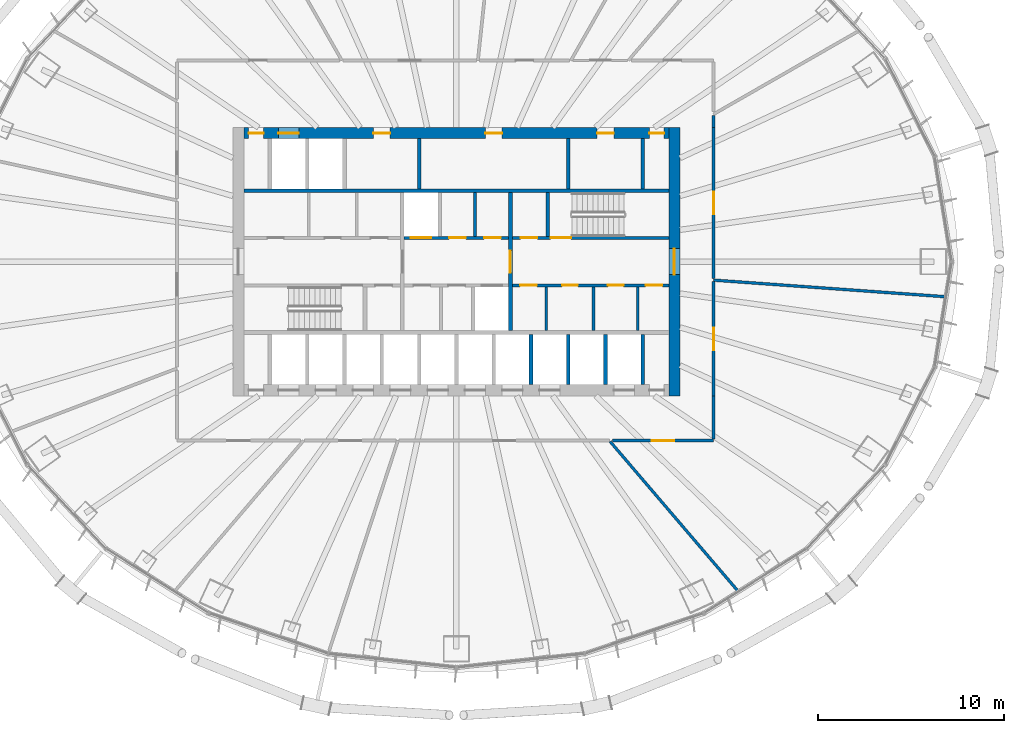
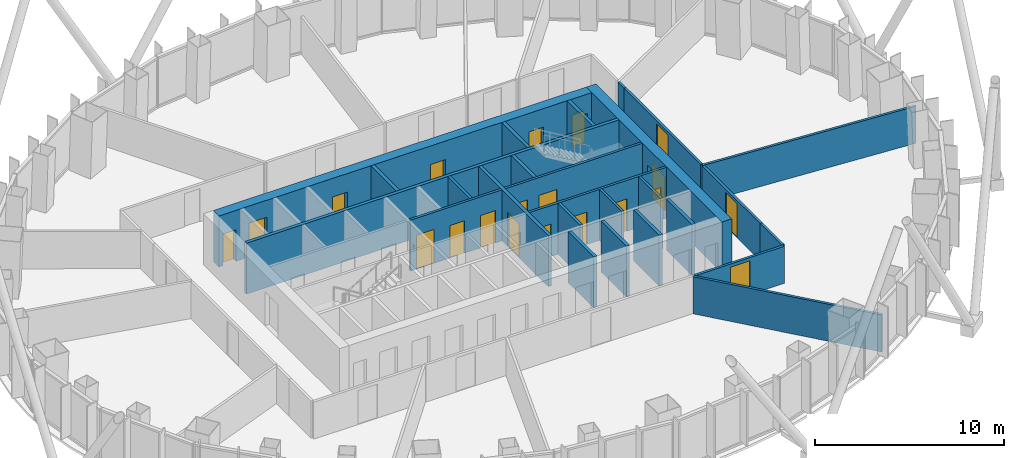
# One storey, part 9 of 18: 26 walls, 20 doors, 20 openings.
"""IFC4 building model written with IfcOpenShell, lengths in metres."""

from ifc_helpers import new_model, si_unit, direction, frame, frame_2d, origin, place, context, subcontext, project, spatial, rectangle, extrude, material, layer, layer_set, type_object, element, fill, save


model = new_model("IFC4")

# Units and contexts
model_context = context("Model", 3, precision=1e-05, world=origin(), true_north=direction((0.0, 1.0)))
body_context = subcontext(model_context, "Body", "Model", "MODEL_VIEW")
ifc_project = project(units=[si_unit("LENGTHUNIT", "METRE"), si_unit("AREAUNIT", "SQUARE_METRE"), si_unit("VOLUMEUNIT", "CUBIC_METRE"), si_unit("PLANEANGLEUNIT", "RADIAN"), si_unit("MASSUNIT", "GRAM", prefix="KILO")], contexts=[model_context])

# Site, building, storey
site_placement = place(None, origin())
site = spatial("IfcSite", under=ifc_project, at=site_placement, CompositionType="ELEMENT")
building_placement = place(site_placement, origin())
building = spatial("IfcBuilding", under=site, at=building_placement, Name="Siaravel Broadcast Tower", CompositionType="ELEMENT")
storey_placement = place(building_placement, frame((0.0, 0.0, 81.5)))
storey = spatial("IfcBuildingStorey", under=building, at=storey_placement, Name="L19", CompositionType="ELEMENT", Elevation=81.5)

# Walls
ifc_material_1 = material(Name="Concrete blockwork", Category="masonry")
ifc_layer_1 = layer(ifc_material_1, 0.14990234375)
ifc_layer_set_1 = layer_set([ifc_layer_1], Name="Concrete blockwork")
wall_type_1 = type_object("IfcWallType", Name="Core partition 150", PredefinedType="PARTITIONING", material=ifc_layer_set_1)
for number, where, z_axis, x_axis, name in (
    (1, (4.823974609375, -3.699951171875, 0.0), (0.0, 0.0, 1.0), (0.0, 1.0, 0.0), "L19 core partition PSE0"),
    (2, (7.35888671875, -3.699951171875, 0.0), (0.0, 0.0, 1.0), (0.0, 1.0, 0.0), "L19 core partition PSE1"),
    (3, (9.735107421875, -3.699951171875, 0.0), (0.0, 0.0, 1.0), (0.0, 1.0, 0.0), "L19 core partition PSE2"),
    (4, (1.0, 1.35009765625, 0.0), (0.0, 0.0, 1.0), (0.0, 1.0, 0.0), "L19 core partition PNM0"),
):
    element("IfcWall", number, at=place(storey_placement, frame(where, z_axis=z_axis, x_axis=x_axis)), inside=storey, type_object=wall_type_1, Name=name, PredefinedType="PARTITIONING", context=body_context, shape_type="SweptSolid", body=[
        extrude(rectangle(XDim=2.349853515625, YDim=0.14990234375, at=frame_2d((1.1748046875, 0.0))), origin(), (0.0, 0.0, 1.0), 3.300048828125),
    ])
ifc_layer_2 = layer(ifc_material_1, 0.199951171875)
ifc_layer_set_2 = layer_set([ifc_layer_2], Name="Concrete blockwork")
wall_type_2 = type_object("IfcWallType", Name="Core partition 200", PredefinedType="PARTITIONING", material=ifc_layer_set_2)
for number, where, z_axis, x_axis, name in (
    (5, (-2.0, 3.89990234375, 0.0), (0.0, 0.0, 1.0), (0.0, 1.0, 0.0), "L19 core partition PFN2"),
    (6, (6.0, 3.89990234375, 0.0), (0.0, 0.0, 1.0), (0.0, 1.0, 0.0), "L19 core partition PFN4"),
):
    element("IfcWall", number, at=place(storey_placement, frame(where, z_axis=z_axis, x_axis=x_axis)), inside=storey, type_object=wall_type_2, Name=name, PredefinedType="PARTITIONING", context=body_context, shape_type="SweptSolid", body=[
        extrude(rectangle(XDim=2.7001953125, YDim=0.199951171875, at=frame_2d((1.35009765625, 0.0))), origin(), (0.0, 0.0, 1.0), 3.300048828125),
    ])

# Wall, opening, door
ifc_material_2 = material(Name="Concrete C60/75", Category="concrete")
ifc_layer_3 = layer(ifc_material_2, 0.60009765625)
ifc_layer_set_3 = layer_set([ifc_layer_3], Name="Concrete C60/75")
wall_type_3 = type_object("IfcWallType", Name="Core wall 600", PredefinedType="SHEAR", material=ifc_layer_set_3)
wall_1_placement = place(storey_placement, frame((11.699951171875, -7.199951171875, 0.0), z_axis=(0.0, 0.0, 1.0), x_axis=(0.0, 1.0, 0.0)))
wall_1 = element("IfcWall", 7, at=wall_1_placement, inside=storey, type_object=wall_type_3, Name="L19 core wall OE", PredefinedType="SHEAR", context=body_context, shape_type="SweptSolid", body=[
    extrude(rectangle(XDim=14.39990234375, YDim=0.60009765625, at=frame_2d((7.199951171875, 0.0))), origin(), (0.0, 0.0, 1.0), 3.300048828125),
])
opening_1_placement = place(wall_1_placement, frame((6.5, 0.0, 0.0)))
opening_1 = element("IfcOpeningElement", 8, at=opening_1_placement, cuts=wall_1, Name="Opening L19-DX-E", PredefinedType="OPENING", context=body_context, shape_type="SweptSolid", body=[
    extrude(rectangle(XDim=1.39990234375, YDim=2.199951171875, at=frame_2d((0.699951171875, 1.10009765625))), frame((0.0, 0.31005859375, 0.0), z_axis=(0.0, -1.0, 0.0), x_axis=(1.0, 0.0, 0.0)), (0.0, 0.0, 1.0), 0.6201171875),
])
ifc_material_3 = material(Name="Steel", Category="steel")
door_type_1 = type_object("IfcDoorType", Name="Core exit door 1400", OperationType="DOUBLE_DOOR_SINGLE_SWING", PredefinedType="DOOR", material=ifc_material_3)
door_1_placement = place(opening_1_placement, origin())
door_1 = element("IfcDoor", 9, at=door_1_placement, inside=storey, type_object=door_type_1, Name="L19 door DX-E", OperationType="DOUBLE_DOOR_SINGLE_SWING", OverallHeight=2.199951171875, OverallWidth=1.39990234375, PredefinedType="DOOR", context=body_context, shape_type="SweptSolid", body=[
    extrude(rectangle(XDim=1.39990234375, YDim=2.199951171875, at=frame_2d((0.699951171875, 1.10009765625))), frame((0.0, 0.02490234375, 0.0), z_axis=(0.0, -1.0, 0.0), x_axis=(1.0, 0.0, 0.0)), (0.0, 0.0, 1.0), 0.050048828125),
])
fill(opening_1, door_1)

# Wall, openings, doors
wall_2_placement = place(storey_placement, frame((-11.39990234375, 6.89990234375, 0.0), z_axis=(0.0, 0.0, 1.0), x_axis=(1.0, 0.0, 0.0)))
wall_2 = element("IfcWall", 10, at=wall_2_placement, inside=storey, type_object=wall_type_3, Name="L19 core wall ON", PredefinedType="SHEAR", context=body_context, shape_type="SweptSolid", body=[
    extrude(rectangle(XDim=22.7998046875, YDim=0.60009765625, at=frame_2d((11.39990234375, 0.0))), origin(), (0.0, 0.0, 1.0), 3.300048828125),
])
opening_2_placement = place(wall_2_placement, frame((1.85009765625, 0.0, 0.0)))
opening_2 = element("IfcOpeningElement", 11, at=opening_2_placement, cuts=wall_2, Name="Opening LD-SV2-L19", PredefinedType="OPENING", context=body_context, shape_type="SweptSolid", body=[
    extrude(rectangle(XDim=1.10009765625, YDim=2.199951171875, at=frame_2d((0.550048828125, 1.10009765625))), frame((0.0, 0.31005859375, 0.0), z_axis=(0.0, -1.0, 0.0), x_axis=(1.0, 0.0, 0.0)), (0.0, 0.0, 1.0), 0.6201171875),
])
opening_3_placement = place(wall_2_placement, frame((6.949951171875, 0.0, 0.0)))
opening_3 = element("IfcOpeningElement", 12, at=opening_3_placement, cuts=wall_2, Name="Opening L19-DFN2", PredefinedType="OPENING", context=body_context, shape_type="SweptSolid", body=[
    extrude(rectangle(XDim=0.89990234375, YDim=2.10009765625, at=frame_2d((0.449951171875, 1.050048828125))), frame((0.0, 0.31005859375, 0.0), z_axis=(0.0, -1.0, 0.0), x_axis=(1.0, 0.0, 0.0)), (0.0, 0.0, 1.0), 0.6201171875),
])
opening_4_placement = place(wall_2_placement, frame((12.949951171875, 0.0, 0.0)))
opening_4 = element("IfcOpeningElement", 13, at=opening_4_placement, cuts=wall_2, Name="Opening L19-DFN4", PredefinedType="OPENING", context=body_context, shape_type="SweptSolid", body=[
    extrude(rectangle(XDim=0.89990234375, YDim=2.10009765625, at=frame_2d((0.449951171875, 1.050048828125))), frame((0.0, 0.31005859375, 0.0), z_axis=(0.0, -1.0, 0.0), x_axis=(1.0, 0.0, 0.0)), (0.0, 0.0, 1.0), 0.6201171875),
])
opening_5_placement = place(wall_2_placement, frame((18.949951171875, 0.0, 0.0)))
opening_5 = element("IfcOpeningElement", 14, at=opening_5_placement, cuts=wall_2, Name="Opening L19-DFN8", PredefinedType="OPENING", context=body_context, shape_type="SweptSolid", body=[
    extrude(rectangle(XDim=0.89990234375, YDim=2.10009765625, at=frame_2d((0.449951171875, 1.050048828125))), frame((0.0, 0.31005859375, 0.0), z_axis=(0.0, -1.0, 0.0), x_axis=(1.0, 0.0, 0.0)), (0.0, 0.0, 1.0), 0.6201171875),
])
opening_6_placement = place(wall_2_placement, frame((0.25, 0.0, 0.0)))
opening_6 = element("IfcOpeningElement", 15, at=opening_6_placement, cuts=wall_2, Name="Opening L19-DRNW", PredefinedType="OPENING", context=body_context, shape_type="SweptSolid", body=[
    extrude(rectangle(XDim=0.800048828125, YDim=2.050048828125, at=frame_2d((0.39990234375, 1.02490234375))), frame((0.0, 0.31005859375, 0.0), z_axis=(0.0, -1.0, 0.0), x_axis=(1.0, 0.0, 0.0)), (0.0, 0.0, 1.0), 0.6201171875),
])
opening_7_placement = place(wall_2_placement, frame((21.75, 0.0, 0.0)))
opening_7 = element("IfcOpeningElement", 16, at=opening_7_placement, cuts=wall_2, Name="Opening L19-DRNE", PredefinedType="OPENING", context=body_context, shape_type="SweptSolid", body=[
    extrude(rectangle(XDim=0.800048828125, YDim=2.050048828125, at=frame_2d((0.39990234375, 1.02490234375))), frame((0.0, 0.31005859375, 0.0), z_axis=(0.0, -1.0, 0.0), x_axis=(1.0, 0.0, 0.0)), (0.0, 0.0, 1.0), 0.6201171875),
])
ifc_material_4 = material(Name="Timber veneer", Category="wood")
door_type_2 = type_object("IfcDoorType", Name="Core room door 900", OperationType="SINGLE_SWING_LEFT", PredefinedType="DOOR", material=ifc_material_4)
door_2_placement = place(opening_3_placement, origin())
door_2 = element("IfcDoor", 17, at=door_2_placement, inside=storey, type_object=door_type_2, Name="L19 door DFN2", OperationType="SINGLE_SWING_LEFT", OverallHeight=2.10009765625, OverallWidth=0.89990234375, PredefinedType="DOOR", context=body_context, shape_type="SweptSolid", body=[
    extrude(rectangle(XDim=0.89990234375, YDim=2.10009765625, at=frame_2d((0.449951171875, 1.050048828125))), frame((0.0, 0.02490234375, 0.0), z_axis=(0.0, -1.0, 0.0), x_axis=(1.0, 0.0, 0.0)), (0.0, 0.0, 1.0), 0.050048828125),
])
fill(opening_3, door_2)
door_3_placement = place(opening_4_placement, origin())
door_3 = element("IfcDoor", 18, at=door_3_placement, inside=storey, type_object=door_type_2, Name="L19 door DFN4", OperationType="SINGLE_SWING_LEFT", OverallHeight=2.10009765625, OverallWidth=0.89990234375, PredefinedType="DOOR", context=body_context, shape_type="SweptSolid", body=[
    extrude(rectangle(XDim=0.89990234375, YDim=2.10009765625, at=frame_2d((0.449951171875, 1.050048828125))), frame((0.0, 0.02490234375, 0.0), z_axis=(0.0, -1.0, 0.0), x_axis=(1.0, 0.0, 0.0)), (0.0, 0.0, 1.0), 0.050048828125),
])
fill(opening_4, door_3)
door_4_placement = place(opening_5_placement, origin())
door_4 = element("IfcDoor", 19, at=door_4_placement, inside=storey, type_object=door_type_2, Name="L19 door DFN8", OperationType="SINGLE_SWING_LEFT", OverallHeight=2.10009765625, OverallWidth=0.89990234375, PredefinedType="DOOR", context=body_context, shape_type="SweptSolid", body=[
    extrude(rectangle(XDim=0.89990234375, YDim=2.10009765625, at=frame_2d((0.449951171875, 1.050048828125))), frame((0.0, 0.02490234375, 0.0), z_axis=(0.0, -1.0, 0.0), x_axis=(1.0, 0.0, 0.0)), (0.0, 0.0, 1.0), 0.050048828125),
])
fill(opening_5, door_4)
door_type_3 = type_object("IfcDoorType", Name="Riser door 800", OperationType="SINGLE_SWING_LEFT", PredefinedType="DOOR", material=ifc_material_3)
door_5_placement = place(opening_6_placement, origin())
door_5 = element("IfcDoor", 20, at=door_5_placement, inside=storey, type_object=door_type_3, Name="L19 door DRNW", OperationType="SINGLE_SWING_LEFT", OverallHeight=2.050048828125, OverallWidth=0.800048828125, PredefinedType="DOOR", context=body_context, shape_type="SweptSolid", body=[
    extrude(rectangle(XDim=0.800048828125, YDim=2.050048828125, at=frame_2d((0.39990234375, 1.02490234375))), frame((0.0, 0.02490234375, 0.0), z_axis=(0.0, -1.0, 0.0), x_axis=(1.0, 0.0, 0.0)), (0.0, 0.0, 1.0), 0.050048828125),
])
fill(opening_6, door_5)
door_6_placement = place(opening_7_placement, origin())
door_6 = element("IfcDoor", 21, at=door_6_placement, inside=storey, type_object=door_type_3, Name="L19 door DRNE", OperationType="SINGLE_SWING_LEFT", OverallHeight=2.050048828125, OverallWidth=0.800048828125, PredefinedType="DOOR", context=body_context, shape_type="SweptSolid", body=[
    extrude(rectangle(XDim=0.800048828125, YDim=2.050048828125, at=frame_2d((0.39990234375, 1.02490234375))), frame((0.0, 0.02490234375, 0.0), z_axis=(0.0, -1.0, 0.0), x_axis=(1.0, 0.0, 0.0)), (0.0, 0.0, 1.0), 0.050048828125),
])
fill(opening_7, door_6)
ifc_material_5 = material(Name="Stainless steel 316L", Category="steel")
door_type_4 = type_object("IfcDoorType", Name="Service lift landing door 1100", OperationType="DOUBLE_DOOR_SLIDING", PredefinedType="DOOR", material=ifc_material_5)
door_7_placement = place(opening_2_placement, origin())
door_7 = element("IfcDoor", 22, at=door_7_placement, inside=storey, type_object=door_type_4, Name="Landing door SV2 L19", OperationType="DOUBLE_DOOR_SLIDING", OverallHeight=2.199951171875, OverallWidth=1.10009765625, PredefinedType="DOOR", context=body_context, shape_type="SweptSolid", body=[
    extrude(rectangle(XDim=1.10009765625, YDim=2.199951171875, at=frame_2d((0.550048828125, 1.10009765625))), frame((0.0, 0.02490234375, 0.0), z_axis=(0.0, -1.0, 0.0), x_axis=(1.0, 0.0, 0.0)), (0.0, 0.0, 1.0), 0.050048828125),
])
fill(opening_2, door_7)

ifc_material_6 = material(Name="Gypsum board partition", Category="gypsum")
ifc_layer_4 = layer(ifc_material_6, 0.14990234375)
ifc_layer_set_4 = layer_set([ifc_layer_4], Name="Gypsum board partition")
wall_type_4 = type_object("IfcWallType", Name="Corridor wall 150", PredefinedType="PARTITIONING", material=ifc_layer_set_4)
wall_3_placement = place(storey_placement, frame((3.0, -1.27490234375, 0.0), z_axis=(0.0, 0.0, 1.0), x_axis=(1.0, 0.0, 0.0)))
wall_3 = element("IfcWall", 23, at=wall_3_placement, inside=storey, type_object=wall_type_4, Name="L19 core partition CSE", PredefinedType="PARTITIONING", context=body_context, shape_type="SweptSolid", body=[
    extrude(rectangle(XDim=8.39990234375, YDim=0.14990234375, at=frame_2d((4.199951171875, 0.0))), origin(), (0.0, 0.0, 1.0), 3.300048828125),
])
opening_8_placement = place(wall_3_placement, frame((0.424560546875, 0.0, 0.0)))
opening_8 = element("IfcOpeningElement", 24, at=opening_8_placement, cuts=wall_3, Name="Opening L19-DSE0", PredefinedType="OPENING", context=body_context, shape_type="SweptSolid", body=[
    extrude(rectangle(XDim=0.89990234375, YDim=2.10009765625, at=frame_2d((0.449951171875, 1.050048828125))), frame((0.0, 0.0849609375, 0.0), z_axis=(0.0, -1.0, 0.0), x_axis=(1.0, 0.0, 0.0)), (0.0, 0.0, 1.0), 0.169921875),
])
opening_9_placement = place(wall_3_placement, frame((2.66650390625, 0.0, 0.0)))
opening_9 = element("IfcOpeningElement", 25, at=opening_9_placement, cuts=wall_3, Name="Opening L19-DSE1", PredefinedType="OPENING", context=body_context, shape_type="SweptSolid", body=[
    extrude(rectangle(XDim=0.85009765625, YDim=2.10009765625, at=frame_2d((0.425048828125, 1.050048828125))), frame((0.0, 0.0849609375, 0.0), z_axis=(0.0, -1.0, 0.0), x_axis=(1.0, 0.0, 0.0)), (0.0, 0.0, 1.0), 0.169921875),
])
opening_10_placement = place(wall_3_placement, frame((5.1220703125, 0.0, 0.0)))
opening_10 = element("IfcOpeningElement", 26, at=opening_10_placement, cuts=wall_3, Name="Opening L19-DSE2", PredefinedType="OPENING", context=body_context, shape_type="SweptSolid", body=[
    extrude(rectangle(XDim=0.85009765625, YDim=2.10009765625, at=frame_2d((0.425048828125, 1.050048828125))), frame((0.0, 0.0849609375, 0.0), z_axis=(0.0, -1.0, 0.0), x_axis=(1.0, 0.0, 0.0)), (0.0, 0.0, 1.0), 0.169921875),
])
opening_11_placement = place(wall_3_placement, frame((7.155029296875, 0.0, 0.0)))
opening_11 = element("IfcOpeningElement", 27, at=opening_11_placement, cuts=wall_3, Name="Opening L19-DSE3", PredefinedType="OPENING", context=body_context, shape_type="SweptSolid", body=[
    extrude(rectangle(XDim=0.89990234375, YDim=2.10009765625, at=frame_2d((0.449951171875, 1.050048828125))), frame((0.0, 0.0849609375, 0.0), z_axis=(0.0, -1.0, 0.0), x_axis=(1.0, 0.0, 0.0)), (0.0, 0.0, 1.0), 0.169921875),
])
door_8_placement = place(opening_8_placement, origin())
door_8 = element("IfcDoor", 28, at=door_8_placement, inside=storey, type_object=door_type_2, Name="L19 door DSE0", OperationType="SINGLE_SWING_LEFT", OverallHeight=2.10009765625, OverallWidth=0.89990234375, PredefinedType="DOOR", context=body_context, shape_type="SweptSolid", body=[
    extrude(rectangle(XDim=0.89990234375, YDim=2.10009765625, at=frame_2d((0.449951171875, 1.050048828125))), frame((0.0, 0.02490234375, 0.0), z_axis=(0.0, -1.0, 0.0), x_axis=(1.0, 0.0, 0.0)), (0.0, 0.0, 1.0), 0.050048828125),
])
fill(opening_8, door_8)
door_9_placement = place(opening_11_placement, origin())
door_9 = element("IfcDoor", 29, at=door_9_placement, inside=storey, type_object=door_type_2, Name="L19 door DSE3", OperationType="SINGLE_SWING_LEFT", OverallHeight=2.10009765625, OverallWidth=0.89990234375, PredefinedType="DOOR", context=body_context, shape_type="SweptSolid", body=[
    extrude(rectangle(XDim=0.89990234375, YDim=2.10009765625, at=frame_2d((0.449951171875, 1.050048828125))), frame((0.0, 0.02490234375, 0.0), z_axis=(0.0, -1.0, 0.0), x_axis=(1.0, 0.0, 0.0)), (0.0, 0.0, 1.0), 0.050048828125),
])
fill(opening_11, door_9)
door_type_5 = type_object("IfcDoorType", Name="Core toilet door 850", OperationType="SINGLE_SWING_LEFT", PredefinedType="DOOR", material=ifc_material_4)
door_10_placement = place(opening_9_placement, origin())
door_10 = element("IfcDoor", 30, at=door_10_placement, inside=storey, type_object=door_type_5, Name="L19 door DSE1", OperationType="SINGLE_SWING_LEFT", OverallHeight=2.10009765625, OverallWidth=0.85009765625, PredefinedType="DOOR", context=body_context, shape_type="SweptSolid", body=[
    extrude(rectangle(XDim=0.85009765625, YDim=2.10009765625, at=frame_2d((0.425048828125, 1.050048828125))), frame((0.0, 0.02490234375, 0.0), z_axis=(0.0, -1.0, 0.0), x_axis=(1.0, 0.0, 0.0)), (0.0, 0.0, 1.0), 0.050048828125),
])
fill(opening_9, door_10)
door_11_placement = place(opening_10_placement, origin())
door_11 = element("IfcDoor", 31, at=door_11_placement, inside=storey, type_object=door_type_5, Name="L19 door DSE2", OperationType="SINGLE_SWING_LEFT", OverallHeight=2.10009765625, OverallWidth=0.85009765625, PredefinedType="DOOR", context=body_context, shape_type="SweptSolid", body=[
    extrude(rectangle(XDim=0.85009765625, YDim=2.10009765625, at=frame_2d((0.425048828125, 1.050048828125))), frame((0.0, 0.02490234375, 0.0), z_axis=(0.0, -1.0, 0.0), x_axis=(1.0, 0.0, 0.0)), (0.0, 0.0, 1.0), 0.050048828125),
])
fill(opening_10, door_11)

# Wall, opening, door
wall_4_placement = place(storey_placement, frame((13.800048828125, -0.912109375, 0.0), z_axis=(0.0, 0.0, 1.0), x_axis=(0.0, 1.0, 0.0)))
wall_4 = element("IfcWall", 32, at=wall_4_placement, inside=storey, type_object=wall_type_4, Name="L19 partition 15", PredefinedType="PARTITIONING", context=body_context, shape_type="SweptSolid", body=[
    extrude(rectangle(XDim=8.1240234375, YDim=0.14990234375, at=frame_2d((4.06201171875, 0.0))), origin(), (0.0, 0.0, 1.0), 2.39990234375),
])
opening_12_placement = place(wall_4_placement, frame((3.462158203125, 0.0, 0.0)))
opening_12 = element("IfcOpeningElement", 33, at=opening_12_placement, cuts=wall_4, Name="Opening L19-011", PredefinedType="OPENING", context=body_context, shape_type="SweptSolid", body=[
    extrude(rectangle(XDim=1.199951171875, YDim=2.199951171875, at=frame_2d((0.60009765625, 1.10009765625))), frame((0.0, 0.0849609375, 0.0), z_axis=(0.0, -1.0, 0.0), x_axis=(1.0, 0.0, 0.0)), (0.0, 0.0, 1.0), 0.169921875),
])
door_type_6 = type_object("IfcDoorType", Name="Office double door 1200", OperationType="DOUBLE_DOOR_SINGLE_SWING", PredefinedType="DOOR", material=ifc_material_4)
door_12_placement = place(opening_12_placement, origin())
door_12 = element("IfcDoor", 34, at=door_12_placement, inside=storey, type_object=door_type_6, Name="L19 door to Open plan newsroom", OperationType="DOUBLE_DOOR_SINGLE_SWING", OverallHeight=2.199951171875, OverallWidth=1.199951171875, PredefinedType="DOOR", context=body_context, shape_type="SweptSolid", body=[
    extrude(rectangle(XDim=1.199951171875, YDim=2.199951171875, at=frame_2d((0.60009765625, 1.10009765625))), frame((0.0, 0.02490234375, 0.0), z_axis=(0.0, -1.0, 0.0), x_axis=(1.0, 0.0, 0.0)), (0.0, 0.0, 1.0), 0.050048828125),
])
fill(opening_12, door_12)

wall_5_placement = place(storey_placement, frame((13.800048828125, -7.2119140625, 0.0), z_axis=(0.0, 0.0, 1.0), x_axis=(0.0, 1.0, 0.0)))
wall_5 = element("IfcWall", 35, at=wall_5_placement, inside=storey, type_object=wall_type_4, Name="L19 partition 19", PredefinedType="PARTITIONING", context=body_context, shape_type="SweptSolid", body=[
    extrude(rectangle(XDim=6.140380859375, YDim=0.14990234375, at=frame_2d((3.0703125, 0.0))), origin(), (0.0, 0.0, 1.0), 2.39990234375),
])
opening_13_placement = place(wall_5_placement, frame((2.47021484375, 0.0, 0.0)))
opening_13 = element("IfcOpeningElement", 36, at=opening_13_placement, cuts=wall_5, Name="Opening L19-009", PredefinedType="OPENING", context=body_context, shape_type="SweptSolid", body=[
    extrude(rectangle(XDim=1.199951171875, YDim=2.199951171875, at=frame_2d((0.60009765625, 1.10009765625))), frame((0.0, 0.0849609375, 0.0), z_axis=(0.0, -1.0, 0.0), x_axis=(1.0, 0.0, 0.0)), (0.0, 0.0, 1.0), 0.169921875),
])
door_13_placement = place(opening_13_placement, origin())
door_13 = element("IfcDoor", 37, at=door_13_placement, inside=storey, type_object=door_type_6, Name="L19 door to Open plan newsroom", OperationType="DOUBLE_DOOR_SINGLE_SWING", OverallHeight=2.199951171875, OverallWidth=1.199951171875, PredefinedType="DOOR", context=body_context, shape_type="SweptSolid", body=[
    extrude(rectangle(XDim=1.199951171875, YDim=2.199951171875, at=frame_2d((0.60009765625, 1.10009765625))), frame((0.0, 0.02490234375, 0.0), z_axis=(0.0, -1.0, 0.0), x_axis=(1.0, 0.0, 0.0)), (0.0, 0.0, 1.0), 0.050048828125),
])
fill(opening_13, door_13)

wall_6_placement = place(storey_placement, frame((8.37109375, -9.60009765625, 0.0), z_axis=(0.0, 0.0, 1.0), x_axis=(1.0, 0.0, 0.0)))
wall_6 = element("IfcWall", 38, at=wall_6_placement, inside=storey, type_object=wall_type_4, Name="L19 partition 20", PredefinedType="PARTITIONING", context=body_context, shape_type="SweptSolid", body=[
    extrude(rectangle(XDim=5.428955078125, YDim=0.14990234375, at=frame_2d((2.71435546875, 0.0))), origin(), (0.0, 0.0, 1.0), 2.39990234375),
])
opening_14_placement = place(wall_6_placement, frame((2.114501953125, 0.0, 0.0)))
opening_14 = element("IfcOpeningElement", 39, at=opening_14_placement, cuts=wall_6, Name="Opening L19-010", PredefinedType="OPENING", context=body_context, shape_type="SweptSolid", body=[
    extrude(rectangle(XDim=1.199951171875, YDim=2.199951171875, at=frame_2d((0.60009765625, 1.10009765625))), frame((0.0, 0.0849609375, 0.0), z_axis=(0.0, -1.0, 0.0), x_axis=(1.0, 0.0, 0.0)), (0.0, 0.0, 1.0), 0.169921875),
])
door_14_placement = place(opening_14_placement, origin())
door_14 = element("IfcDoor", 40, at=door_14_placement, inside=storey, type_object=door_type_6, Name="L19 door to Open plan newsroom", OperationType="DOUBLE_DOOR_SINGLE_SWING", OverallHeight=2.199951171875, OverallWidth=1.199951171875, PredefinedType="DOOR", context=body_context, shape_type="SweptSolid", body=[
    extrude(rectangle(XDim=1.199951171875, YDim=2.199951171875, at=frame_2d((0.60009765625, 1.10009765625))), frame((0.0, 0.02490234375, 0.0), z_axis=(0.0, -1.0, 0.0), x_axis=(1.0, 0.0, 0.0)), (0.0, 0.0, 1.0), 0.050048828125),
])
fill(opening_14, door_14)

# Walls
wall_7_placement = place(storey_placement, frame((13.800048828125, -9.52294921875, 0.0), z_axis=(0.0, 0.0, 1.0), x_axis=(0.0, 1.0, 0.0)))
element("IfcWall", 41, at=wall_7_placement, inside=storey, type_object=wall_type_4, Name="L19 partition 28", PredefinedType="PARTITIONING", context=body_context, shape_type="SweptSolid", body=[
    extrude(rectangle(XDim=2.31005859375, YDim=0.14990234375, at=frame_2d((1.155029296875, 0.0))), origin(), (0.0, 0.0, 1.0), 2.39990234375),
])
wall_8_placement = place(storey_placement, frame((13.800048828125, 7.212890625, 0.0), z_axis=(0.0, 0.0, 1.0), x_axis=(0.0, 1.0, 0.0)))
element("IfcWall", 42, at=wall_8_placement, inside=storey, type_object=wall_type_4, Name="L19 partition 32", PredefinedType="PARTITIONING", context=body_context, shape_type="SweptSolid", body=[
    extrude(rectangle(XDim=0.635009765625, YDim=0.14990234375, at=frame_2d((0.3173828125, 0.0))), origin(), (0.0, 0.0, 1.0), 2.39990234375),
])
ifc_layer_5 = layer(ifc_material_6, 0.14990234375)
ifc_layer_set_5 = layer_set([ifc_layer_5], Name="Gypsum board partition")
wall_type_5 = type_object("IfcWallType", Name="Room partition 150", PredefinedType="PARTITIONING", material=ifc_layer_set_5)
wall_9_placement = place(storey_placement, frame((26.308837890625, -1.88525390625, 0.0), z_axis=(0.0, 0.0, 1.0), x_axis=(-0.997443062, 0.071465639, 0.0)))
element("IfcWall", 43, at=wall_9_placement, inside=storey, type_object=wall_type_5, Name="L19 partition 1", PredefinedType="PARTITIONING", context=body_context, shape_type="SweptSolid", body=[
    extrude(rectangle(XDim=12.540771484375, YDim=0.14990234375, at=frame_2d((6.2705078125, 0.0))), origin(), (0.0, 0.0, 1.0), 2.39990234375),
])
wall_10_placement = place(storey_placement, frame((15.1376953125, -17.70849609375, 0.0), z_axis=(0.0, 0.0, 1.0), x_axis=(-0.649786297, 0.760116944, 0.0)))
element("IfcWall", 44, at=wall_10_placement, inside=storey, type_object=wall_type_5, Name="L19 partition 6", PredefinedType="PARTITIONING", context=body_context, shape_type="SweptSolid", body=[
    extrude(rectangle(XDim=10.608154296875, YDim=0.14990234375, at=frame_2d((5.30419921875, 0.0))), origin(), (0.0, 0.0, 1.0), 2.39990234375),
])

# Wall, openings, doors
ifc_layer_6 = layer(ifc_material_2, 0.14990234375)
ifc_layer_set_6 = layer_set([ifc_layer_6], Name="Concrete C60/75")
wall_type_6 = type_object("IfcWallType", Name="Shaft wall 150", PredefinedType="SHEAR", material=ifc_layer_set_6)
wall_11_placement = place(storey_placement, frame((-2.800048828125, 1.27490234375, 0.0), z_axis=(0.0, 0.0, 1.0), x_axis=(1.0, 0.0, 0.0)))
wall_11 = element("IfcWall", 45, at=wall_11_placement, inside=storey, type_object=wall_type_6, Name="L19 core wall CNM", PredefinedType="SHEAR", context=body_context, shape_type="SweptSolid", body=[
    extrude(rectangle(XDim=5.60009765625, YDim=0.14990234375, at=frame_2d((2.800048828125, 0.0))), origin(), (0.0, 0.0, 1.0), 3.300048828125),
])
opening_15_placement = place(wall_11_placement, frame((0.35009765625, 0.0, 0.0)))
opening_15 = element("IfcOpeningElement", 46, at=opening_15_placement, cuts=wall_11, Name="Opening LD-FL1-L19", PredefinedType="OPENING", context=body_context, shape_type="SweptSolid", body=[
    extrude(rectangle(XDim=1.10009765625, YDim=2.199951171875, at=frame_2d((0.550048828125, 1.10009765625))), frame((0.0, 0.0849609375, 0.0), z_axis=(0.0, -1.0, 0.0), x_axis=(1.0, 0.0, 0.0)), (0.0, 0.0, 1.0), 0.169921875),
])
opening_16_placement = place(wall_11_placement, frame((2.41259765625, 0.0, 0.0)))
opening_16 = element("IfcOpeningElement", 47, at=opening_16_placement, cuts=wall_11, Name="Opening L19-DNM0", PredefinedType="OPENING", context=body_context, shape_type="SweptSolid", body=[
    extrude(rectangle(XDim=0.89990234375, YDim=2.10009765625, at=frame_2d((0.449951171875, 1.050048828125))), frame((0.0, 0.0849609375, 0.0), z_axis=(0.0, -1.0, 0.0), x_axis=(1.0, 0.0, 0.0)), (0.0, 0.0, 1.0), 0.169921875),
])
opening_17_placement = place(wall_11_placement, frame((4.28759765625, 0.0, 0.0)))
opening_17 = element("IfcOpeningElement", 48, at=opening_17_placement, cuts=wall_11, Name="Opening L19-DNM1", PredefinedType="OPENING", context=body_context, shape_type="SweptSolid", body=[
    extrude(rectangle(XDim=0.89990234375, YDim=2.10009765625, at=frame_2d((0.449951171875, 1.050048828125))), frame((0.0, 0.0849609375, 0.0), z_axis=(0.0, -1.0, 0.0), x_axis=(1.0, 0.0, 0.0)), (0.0, 0.0, 1.0), 0.169921875),
])
door_15_placement = place(opening_16_placement, origin())
door_15 = element("IfcDoor", 49, at=door_15_placement, inside=storey, type_object=door_type_2, Name="L19 door DNM0", OperationType="SINGLE_SWING_LEFT", OverallHeight=2.10009765625, OverallWidth=0.89990234375, PredefinedType="DOOR", context=body_context, shape_type="SweptSolid", body=[
    extrude(rectangle(XDim=0.89990234375, YDim=2.10009765625, at=frame_2d((0.449951171875, 1.050048828125))), frame((0.0, 0.02490234375, 0.0), z_axis=(0.0, -1.0, 0.0), x_axis=(1.0, 0.0, 0.0)), (0.0, 0.0, 1.0), 0.050048828125),
])
fill(opening_16, door_15)
door_16_placement = place(opening_17_placement, origin())
door_16 = element("IfcDoor", 50, at=door_16_placement, inside=storey, type_object=door_type_2, Name="L19 door DNM1", OperationType="SINGLE_SWING_LEFT", OverallHeight=2.10009765625, OverallWidth=0.89990234375, PredefinedType="DOOR", context=body_context, shape_type="SweptSolid", body=[
    extrude(rectangle(XDim=0.89990234375, YDim=2.10009765625, at=frame_2d((0.449951171875, 1.050048828125))), frame((0.0, 0.02490234375, 0.0), z_axis=(0.0, -1.0, 0.0), x_axis=(1.0, 0.0, 0.0)), (0.0, 0.0, 1.0), 0.050048828125),
])
fill(opening_17, door_16)
door_type_7 = type_object("IfcDoorType", Name="Firefighting lift landing door 1100", OperationType="DOUBLE_DOOR_SLIDING", PredefinedType="DOOR", material=ifc_material_5)
door_17_placement = place(opening_15_placement, origin())
door_17 = element("IfcDoor", 51, at=door_17_placement, inside=storey, type_object=door_type_7, Name="Landing door FL1 L19", OperationType="DOUBLE_DOOR_SLIDING", OverallHeight=2.199951171875, OverallWidth=1.10009765625, PredefinedType="DOOR", context=body_context, shape_type="SweptSolid", body=[
    extrude(rectangle(XDim=1.10009765625, YDim=2.199951171875, at=frame_2d((0.550048828125, 1.10009765625))), frame((0.0, 0.02490234375, 0.0), z_axis=(0.0, -1.0, 0.0), x_axis=(1.0, 0.0, 0.0)), (0.0, 0.0, 1.0), 0.050048828125),
])
fill(opening_15, door_17)

wall_12_placement = place(storey_placement, frame((3.0, 1.27490234375, 0.0), z_axis=(0.0, 0.0, 1.0), x_axis=(1.0, 0.0, 0.0)))
wall_12 = element("IfcWall", 52, at=wall_12_placement, inside=storey, type_object=wall_type_6, Name="L19 core wall CNE", PredefinedType="SHEAR", context=body_context, shape_type="SweptSolid", body=[
    extrude(rectangle(XDim=8.39990234375, YDim=0.14990234375, at=frame_2d((4.199951171875, 0.0))), origin(), (0.0, 0.0, 1.0), 3.300048828125),
])
opening_18_placement = place(wall_12_placement, frame((2.050048828125, 0.0, 0.0)))
opening_18 = element("IfcOpeningElement", 53, at=opening_18_placement, cuts=wall_12, Name="Opening L19-DS-2", PredefinedType="OPENING", context=body_context, shape_type="SweptSolid", body=[
    extrude(rectangle(XDim=1.10009765625, YDim=2.14990234375, at=frame_2d((0.550048828125, 1.074951171875))), frame((0.0, 0.0849609375, 0.0), z_axis=(0.0, -1.0, 0.0), x_axis=(1.0, 0.0, 0.0)), (0.0, 0.0, 1.0), 0.169921875),
])
opening_19_placement = place(wall_12_placement, frame((0.449951171875, 0.0, 0.0)))
opening_19 = element("IfcOpeningElement", 54, at=opening_19_placement, cuts=wall_12, Name="Opening L19-DNE0", PredefinedType="OPENING", context=body_context, shape_type="SweptSolid", body=[
    extrude(rectangle(XDim=0.89990234375, YDim=2.10009765625, at=frame_2d((0.449951171875, 1.050048828125))), frame((0.0, 0.0849609375, 0.0), z_axis=(0.0, -1.0, 0.0), x_axis=(1.0, 0.0, 0.0)), (0.0, 0.0, 1.0), 0.169921875),
])
door_18_placement = place(opening_19_placement, origin())
door_18 = element("IfcDoor", 55, at=door_18_placement, inside=storey, type_object=door_type_2, Name="L19 door DNE0", OperationType="SINGLE_SWING_LEFT", OverallHeight=2.10009765625, OverallWidth=0.89990234375, PredefinedType="DOOR", context=body_context, shape_type="SweptSolid", body=[
    extrude(rectangle(XDim=0.89990234375, YDim=2.10009765625, at=frame_2d((0.449951171875, 1.050048828125))), frame((0.0, 0.02490234375, 0.0), z_axis=(0.0, -1.0, 0.0), x_axis=(1.0, 0.0, 0.0)), (0.0, 0.0, 1.0), 0.050048828125),
])
fill(opening_19, door_18)
door_type_8 = type_object("IfcDoorType", Name="Stair door 1100", OperationType="SINGLE_SWING_LEFT", PredefinedType="DOOR", material=ifc_material_3)
door_19_placement = place(opening_18_placement, origin())
door_19 = element("IfcDoor", 56, at=door_19_placement, inside=storey, type_object=door_type_8, Name="L19 door DS-2", OperationType="SINGLE_SWING_LEFT", OverallHeight=2.14990234375, OverallWidth=1.10009765625, PredefinedType="DOOR", context=body_context, shape_type="SweptSolid", body=[
    extrude(rectangle(XDim=1.10009765625, YDim=2.14990234375, at=frame_2d((0.550048828125, 1.074951171875))), frame((0.0, 0.02490234375, 0.0), z_axis=(0.0, -1.0, 0.0), x_axis=(1.0, 0.0, 0.0)), (0.0, 0.0, 1.0), 0.050048828125),
])
fill(opening_18, door_19)

# Walls
ifc_layer_7 = layer(ifc_material_2, 0.199951171875)
ifc_layer_set_7 = layer_set([ifc_layer_7], Name="Concrete C60/75")
wall_type_7 = type_object("IfcWallType", Name="Shaft wall 200", PredefinedType="SHEAR", material=ifc_layer_set_7)
wall_13_placement = place(storey_placement, frame((-11.39990234375, 3.800048828125, 0.0), z_axis=(0.0, 0.0, 1.0), x_axis=(1.0, 0.0, 0.0)))
element("IfcWall", 57, at=wall_13_placement, inside=storey, type_object=wall_type_7, Name="L19 core wall BN", PredefinedType="SHEAR", context=body_context, shape_type="SweptSolid", body=[
    extrude(rectangle(XDim=22.7998046875, YDim=0.199951171875, at=frame_2d((11.39990234375, 0.0))), origin(), (0.0, 0.0, 1.0), 3.300048828125),
])
for number, where, z_axis, x_axis, name in (
    (58, (4.0, -6.60009765625, 0.0), (0.0, 0.0, 1.0), (0.0, 1.0, 0.0), "L19 core wall SWS7"),
    (59, (6.0, -6.60009765625, 0.0), (0.0, 0.0, 1.0), (0.0, 1.0, 0.0), "L19 core wall SWS8"),
    (60, (8.0, -6.60009765625, 0.0), (0.0, 0.0, 1.0), (0.0, 1.0, 0.0), "L19 core wall SWS9"),
    (61, (10.0, -6.60009765625, 0.0), (0.0, 0.0, 1.0), (0.0, 1.0, 0.0), "L19 core wall SWS10"),
    (62, (10.0, 3.89990234375, 0.0), (0.0, 0.0, 1.0), (0.0, 1.0, 0.0), "L19 core wall SWN10"),
):
    element("IfcWall", number, at=place(storey_placement, frame(where, z_axis=z_axis, x_axis=x_axis)), inside=storey, type_object=wall_type_7, Name=name, PredefinedType="SHEAR", context=body_context, shape_type="SweptSolid", body=[
        extrude(rectangle(XDim=2.7001953125, YDim=0.199951171875, at=frame_2d((1.35009765625, 0.0))), origin(), (0.0, 0.0, 1.0), 3.300048828125),
    ])

# Wall, opening, door
wall_14_placement = place(storey_placement, frame((2.89990234375, -3.699951171875, 0.0), z_axis=(0.0, 0.0, 1.0), x_axis=(0.0, 1.0, 0.0)))
wall_14 = element("IfcWall", 63, at=wall_14_placement, inside=storey, type_object=wall_type_7, Name="L19 core wall LE", PredefinedType="SHEAR", context=body_context, shape_type="SweptSolid", body=[
    extrude(rectangle(XDim=7.39990234375, YDim=0.199951171875, at=frame_2d((3.699951171875, 0.0))), origin(), (0.0, 0.0, 1.0), 3.300048828125),
])
opening_20_placement = place(wall_14_placement, frame((3.10009765625, 0.0, 0.0)))
opening_20 = element("IfcOpeningElement", 64, at=opening_20_placement, cuts=wall_14, Name="Opening L19-DL-E", PredefinedType="OPENING", context=body_context, shape_type="SweptSolid", body=[
    extrude(rectangle(XDim=1.199951171875, YDim=2.199951171875, at=frame_2d((0.60009765625, 1.10009765625))), frame((0.0, 0.10986328125, 0.0), z_axis=(0.0, -1.0, 0.0), x_axis=(1.0, 0.0, 0.0)), (0.0, 0.0, 1.0), 0.219970703125),
])
door_type_9 = type_object("IfcDoorType", Name="Firefighting lobby door 1200", OperationType="SINGLE_SWING_LEFT", PredefinedType="DOOR", material=ifc_material_3)
door_20_placement = place(opening_20_placement, origin())
door_20 = element("IfcDoor", 65, at=door_20_placement, inside=storey, type_object=door_type_9, Name="L19 door DL-E", OperationType="SINGLE_SWING_LEFT", OverallHeight=2.199951171875, OverallWidth=1.199951171875, PredefinedType="DOOR", context=body_context, shape_type="SweptSolid", body=[
    extrude(rectangle(XDim=1.199951171875, YDim=2.199951171875, at=frame_2d((0.60009765625, 1.10009765625))), frame((0.0, 0.02490234375, 0.0), z_axis=(0.0, -1.0, 0.0), x_axis=(1.0, 0.0, 0.0)), (0.0, 0.0, 1.0), 0.050048828125),
])
fill(opening_20, door_20)

# Wall
wall_15_placement = place(storey_placement, frame((4.89990234375, 1.35009765625, 0.0), z_axis=(0.0, 0.0, 1.0), x_axis=(0.0, 1.0, 0.0)))
element("IfcWall", 66, at=wall_15_placement, inside=storey, type_object=wall_type_7, Name="L19 core wall ST2W", PredefinedType="SHEAR", context=body_context, shape_type="SweptSolid", body=[
    extrude(rectangle(XDim=2.349853515625, YDim=0.199951171875, at=frame_2d((1.1748046875, 0.0))), origin(), (0.0, 0.0, 1.0), 3.300048828125),
])

save(model, "model.ifc")
